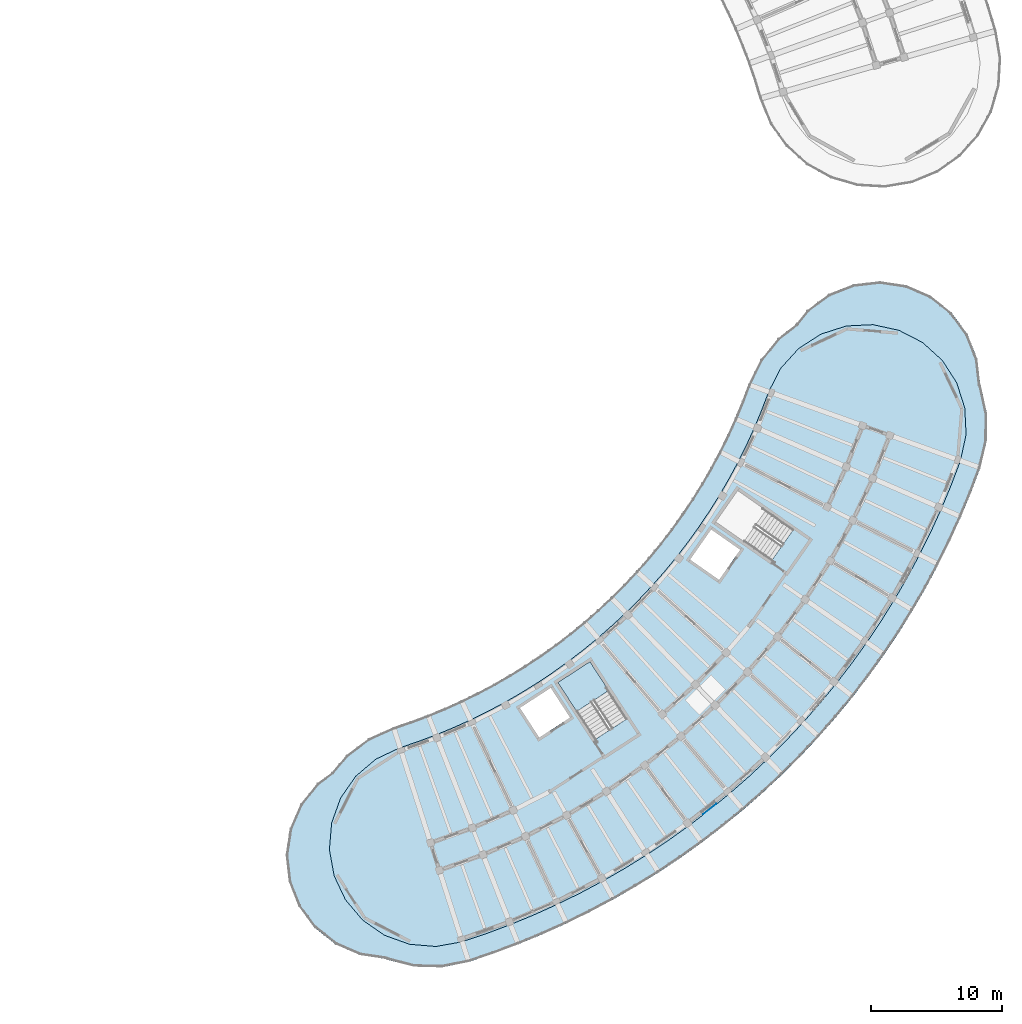
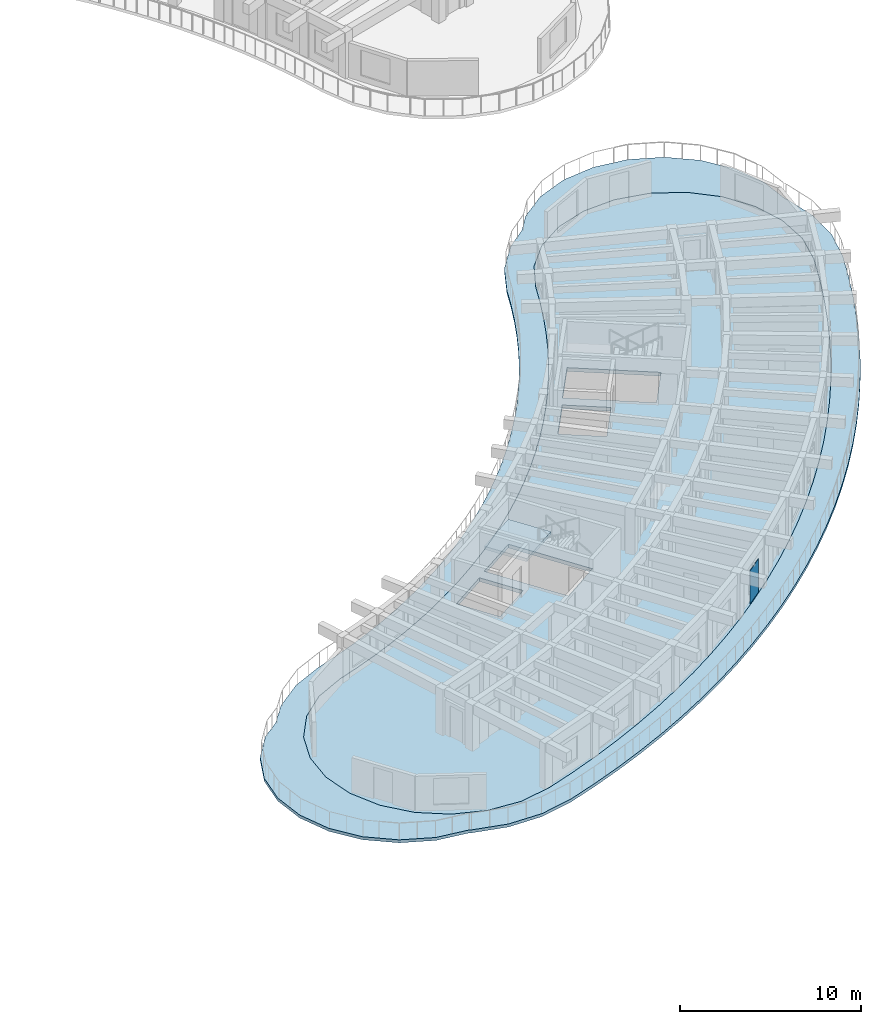
# One storey, part 36 of 81: 3 slabs, 1 plate, 1 element without a shape of its own.
"""IFC4 building model written with IfcOpenShell, lengths in metres."""

from ifc_helpers import new_model, si_unit, direction, frame, origin, origin_2d, place, context, subcontext, project, spatial, polyline, rectangle, outline, extrude, material, layer, layer_set, type_object, element, aggregate, save


model = new_model("IFC4")

# Units and contexts
model_context = context("Model", 3, precision=1e-05, world=origin(), true_north=direction((0.0, 1.0)))
body_context = subcontext(model_context, "Body", "Model", "MODEL_VIEW")
ifc_project = project(units=[si_unit("LENGTHUNIT", "METRE"), si_unit("AREAUNIT", "SQUARE_METRE"), si_unit("VOLUMEUNIT", "CUBIC_METRE"), si_unit("PLANEANGLEUNIT", "RADIAN"), si_unit("MASSUNIT", "GRAM", prefix="KILO")], contexts=[model_context])

# Site, building, storey
site_placement = place(None, origin())
site = spatial("IfcSite", under=ifc_project, at=site_placement, CompositionType="ELEMENT")
building_placement = place(site_placement, origin())
building = spatial("IfcBuilding", under=site, at=building_placement, Name="Tanwirah Colonnade Gardens", CompositionType="ELEMENT")
storey_placement = place(building_placement, frame((0.0, 0.0, 18.919921875)))
storey = spatial("IfcBuildingStorey", under=building, at=storey_placement, Name="L05", CompositionType="ELEMENT", Elevation=18.919921875)

# Plate
ifc_material_1 = material(Name="Laser-cut bronze aluminium solar screen plate", Category="aluminium")
ifc_layer_1 = layer(ifc_material_1, 0.02001953125)
ifc_layer_set_1 = layer_set([ifc_layer_1], Name="Laser-cut bronze aluminium solar screen plate")
plate_type = type_object("IfcPlateType", Name="PLT-SCR20", PredefinedType="SHEET", material=ifc_layer_set_1)
plate_placement = place(storey_placement, frame((158.117919921875, 17.69921875, 0.0), z_axis=(0.0, 0.0, 1.0), x_axis=(0.783964634348, 0.620805486519, 0.0)))
element("IfcPlate", 1, at=plate_placement, inside=storey, type_object=plate_type, Name="Perforated solar screen plate D-L05-06", PredefinedType="SHEET", context=body_context, shape_type="SweptSolid", body=[
    extrude(rectangle(XDim=1.25, YDim=0.02001953125, at=origin_2d()), origin(), (0.0, 0.0, 1.0), 2.25),
])

# Slab
ifc_material_2 = material(Name="White architectural precast concrete C40/50", Category="concrete")
ifc_layer_2 = layer(ifc_material_2, 0.199951171875)
ifc_layer_set_2 = layer_set([ifc_layer_2], Name="White architectural precast concrete C40/50")
slab_type_1 = type_object("IfcSlabType", Name="SL-BAL-200", PredefinedType="FLOOR", material=ifc_layer_set_2)
slab_1_placement = place(storey_placement, frame((0.0, 0.0, -0.199951171875)))
element("IfcSlab", 2, at=slab_1_placement, inside=storey, type_object=slab_type_1, Name="Block D L05 Continuous White Balcony Ribbon", PredefinedType="FLOOR", context=body_context, shape_type="SweptSolid", body=[
    extrude(outline(polyline([(129.277587890625, 20.481201171875), (128.16162109375, 19.655517578125), (126.89404296875, 18.06201171875), (126.08203125, 16.194580078125), (125.781005859375, 14.1806640625), (126.01171875, 12.15771484375), (126.7578125, 10.26318359375), (127.968994140625, 8.626220703125), (129.562744140625, 7.358642578125), (131.429931640625, 6.546875), (133.384765625, 6.254638671875), (133.51171875, 6.189208984375), (135.550537109375, 5.666015625), (137.65478515625, 5.609619140625), (139.71875, 6.02294921875), (141.6220703125, 6.666748046875), (143.503173828125, 7.372314453125), (145.3603515625, 8.13916015625), (147.19140625, 8.966552734375), (148.994384765625, 9.85302734375), (150.767333984375, 10.79833984375), (152.508544921875, 11.801025390625), (154.2158203125, 12.860107421875), (155.8876953125, 13.974609375), (157.522216796875, 15.143310546875), (159.117431640625, 16.364501953125), (160.672119140625, 17.637451171875), (162.18408203125, 18.960693359375), (163.652099609375, 20.33251953125), (165.07421875, 21.751708984375), (166.449462890625, 23.216796875), (167.77587890625, 24.725830078125), (169.05224609375, 26.277587890625), (170.277099609375, 27.870361328125), (171.44921875, 29.502197265625), (172.567138671875, 31.171630859375), (173.630126953125, 32.876708984375), (174.636474609375, 34.61572265625), (175.585693359375, 36.386474609375), (176.476318359375, 38.1875), (177.307373046875, 40.016845703125), (178.078369140625, 41.872314453125), (178.7880859375, 43.751953125), (179.273193359375, 45.80029296875), (179.290283203125, 47.905029296875), (178.838623046875, 49.9609375), (178.777587890625, 50.090087890625), (178.553955078125, 52.053955078125), (177.8076171875, 53.948486328125), (176.596435546875, 55.585205078125), (175.0029296875, 56.852783203125), (173.135498046875, 57.664794921875), (171.121826171875, 57.965576171875), (169.0986328125, 57.735107421875), (167.2041015625, 56.98876953125), (165.5673828125, 55.777587890625), (164.703125, 54.691162109375), (163.348388671875, 53.628662109375), (162.022705078125, 51.99365234375), (161.093994140625, 50.104736328125), (160.6015625, 48.800537109375), (160.066650390625, 47.51318359375), (159.489990234375, 46.244140625), (158.8720703125, 44.99462890625), (158.213623046875, 43.765869140625), (157.515380859375, 42.559326171875), (156.77783203125, 41.37646484375), (156.002197265625, 40.218017578125), (155.18896484375, 39.0859375), (154.339111328125, 37.98095703125), (153.45361328125, 36.904296875), (152.533203125, 35.857177734375), (151.579345703125, 34.8408203125), (150.592529296875, 33.856201171875), (149.573974609375, 32.904296875), (148.52490234375, 31.986328125), (147.4462890625, 31.10302734375), (146.33935546875, 30.255615234375), (145.205322265625, 29.445068359375), (144.04541015625, 28.671630859375), (142.86083984375, 27.93701171875), (141.65283203125, 27.2412109375), (140.4228515625, 26.58544921875), (139.171875, 25.97021484375), (137.9013671875, 25.396240234375), (136.613037109375, 24.8642578125), (135.307861328125, 24.37451171875), (133.9873046875, 23.927978515625), (132.06689453125, 23.06591796875), (130.38671875, 21.7978515625), (129.277587890625, 20.481201171875)]), holes=[polyline([(132.644287109375, 21.5185546875), (134.482421875, 22.385498046875), (135.8515625, 22.8486328125), (135.85205078125, 22.848876953125), (137.206298828125, 23.35693359375), (137.20703125, 23.357177734375), (138.5439453125, 23.9091796875), (138.54443359375, 23.909423828125), (139.862548828125, 24.5048828125), (139.86328125, 24.505126953125), (141.1611328125, 25.1435546875), (141.16162109375, 25.143798828125), (142.43798828125, 25.82421875), (142.4384765625, 25.824462890625), (143.69189453125, 26.54638671875), (143.692626953125, 26.546630859375), (144.921630859375, 27.30908203125), (144.922119140625, 27.309326171875), (146.125732421875, 28.111572265625), (146.126220703125, 28.112060546875), (147.302734375, 28.953369140625), (147.30322265625, 28.95361328125), (148.45166015625, 29.8330078125), (148.452392578125, 29.833251953125), (149.5712890625, 30.749755859375), (149.57177734375, 30.75), (150.660400390625, 31.70263671875), (150.660888671875, 31.702880859375), (151.717529296875, 32.690673828125), (151.718017578125, 32.69091796875), (152.741943359375, 33.712646484375), (152.742431640625, 33.713134765625), (153.732177734375, 34.767578125), (153.732666015625, 34.76806640625), (154.6875, 35.8544921875), (154.68798828125, 35.85498046875), (155.606689453125, 36.97216796875), (155.607177734375, 36.97265625), (156.48876953125, 38.119140625), (156.4892578125, 38.11962890625), (157.3330078125, 39.29443359375), (157.33349609375, 39.294921875), (158.13818359375, 40.496826171875), (158.138671875, 40.497314453125), (158.90380859375, 41.724853515625), (158.904052734375, 41.725341796875), (159.628662109375, 42.97705078125), (159.62890625, 42.977783203125), (160.312255859375, 44.25244140625), (160.3125, 44.253173828125), (160.95361328125, 45.549560546875), (160.953857421875, 45.55029296875), (161.55224609375, 46.866943359375), (161.552490234375, 46.86767578125), (162.107421875, 48.203369140625), (162.107666015625, 48.203857421875), (162.6181640625, 49.555908203125), (163.548828125, 51.36279296875), (164.914306640625, 52.8662109375), (166.62255859375, 53.96484375), (168.556884765625, 54.583984375), (170.58544921875, 54.681396484375), (172.570068359375, 54.25048828125), (174.375732421875, 53.320556640625), (175.87890625, 51.955078125), (176.9775390625, 50.2470703125), (177.596923828125, 48.312744140625), (177.6943359375, 46.2841796875), (177.26318359375, 44.29833984375), (176.572509765625, 42.46923828125), (175.82177734375, 40.662841796875), (175.012451171875, 38.8818359375), (174.1455078125, 37.12841796875), (173.221435546875, 35.404052734375), (172.241455078125, 33.7109375), (171.20654296875, 32.051025390625), (170.1181640625, 30.425537109375), (168.976806640625, 28.836669921875), (167.784423828125, 27.2861328125), (166.541748046875, 25.775146484375), (165.250244140625, 24.305908203125), (163.911376953125, 22.879638671875), (162.526611328125, 21.497802734375), (161.097412109375, 20.162109375), (159.625244140625, 18.8740234375), (158.11181640625, 17.634521484375), (156.55859375, 16.445556640625), (154.96728515625, 15.3076171875), (153.33935546875, 14.22265625), (151.677001953125, 13.19140625), (149.98193359375, 12.21533203125), (148.255615234375, 11.294921875), (146.500244140625, 10.431640625), (144.717529296875, 9.626220703125), (142.909423828125, 8.879638671875), (141.077880859375, 8.192626953125), (139.225830078125, 7.566162109375), (137.226318359375, 7.20458984375), (135.2021484375, 7.372802734375), (133.290771484375, 8.05908203125), (131.6220703125, 9.216552734375), (130.309814453125, 10.766845703125), (129.443359375, 12.603515625), (129.08203125, 14.60205078125), (129.250244140625, 16.626220703125), (129.9365234375, 18.53759765625), (131.09423828125, 20.206298828125), (132.644287109375, 21.5185546875)])]), origin(), (0.0, 0.0, 1.0), 0.199951171875),
])

# Stair, slab
ifc_material_3 = material(Name="Precast concrete C40/50", Category="concrete")
stair_type = type_object("IfcStairType", Name="ST-RES168", PredefinedType="HALF_TURN_STAIR", material=ifc_material_3)
stair_placement = place(storey_placement, origin())
stair = element("IfcStair", 3, at=stair_placement, inside=storey, type_object=stair_type, Name="L05 Block D Core 1 Exit Stair", PredefinedType="HALF_TURN_STAIR")
ifc_layer_3 = layer(ifc_material_3, 0.205078125)
ifc_layer_set_3 = layer_set([ifc_layer_3], Name="Precast concrete C40/50")
slab_type_2 = type_object("IfcSlabType", Name="SL-LND-205", PredefinedType="LANDING", material=ifc_layer_set_3)
slab_2_placement = place(storey_placement, frame((0.0, 0.0, 1.47509765625)))
slab_2 = element("IfcSlab", 4, at=slab_2_placement, type_object=slab_type_2, Name="ST-D1 landing 1", PredefinedType="LANDING", context=body_context, shape_type="SweptSolid", body=[
    extrude(outline(polyline([(150.40966796875, 26.740966796875), (148.974609375, 28.950927734375), (146.525634765625, 27.360595703125), (147.960693359375, 25.150634765625), (150.40966796875, 26.740966796875)])), origin(), (0.0, 0.0, 1.0), 0.205078125),
])
aggregate(stair, [slab_2])

# Slab
ifc_layer_4 = layer(ifc_material_3, 0.25)
ifc_layer_set_4 = layer_set([ifc_layer_4], Name="Precast concrete C40/50")
slab_type_3 = type_object("IfcSlabType", Name="SL-RES-250", PredefinedType="FLOOR", material=ifc_layer_set_4)
slab_3_placement = place(storey_placement, frame((0.0, 0.0, -0.25)))
element("IfcSlab", 5, at=slab_3_placement, inside=storey, type_object=slab_type_3, Name="Block D L05 Precast Composite Floor Slab", PredefinedType="FLOOR", context=body_context, shape_type="SweptSolid", body=[
    extrude(outline(polyline([(137.199462890625, 23.37548828125), (135.84521484375, 22.867431640625), (134.47509765625, 22.404052734375), (132.63330078125, 21.535400390625), (131.079345703125, 20.219970703125), (129.918701171875, 18.546875), (129.23046875, 16.63037109375), (129.06201171875, 14.60107421875), (129.42431640625, 12.597412109375), (130.292724609375, 10.755859375), (131.6083984375, 9.20166015625), (133.281494140625, 8.041015625), (135.197998046875, 7.35302734375), (137.227294921875, 7.184326171875), (139.23095703125, 7.546630859375), (141.08447265625, 8.173828125), (142.916748046875, 8.861083984375), (144.7255859375, 9.60791015625), (146.5087890625, 10.41357421875), (148.264892578125, 11.277099609375), (149.99169921875, 12.19775390625), (151.687255859375, 13.17431640625), (153.350341796875, 14.205810546875), (154.978515625, 15.291259765625), (156.5703125, 16.429443359375), (158.124267578125, 17.618896484375), (159.63818359375, 18.858642578125), (161.11083984375, 20.1474609375), (162.54052734375, 21.4833984375), (163.92578125, 22.86572265625), (165.26513671875, 24.29248046875), (166.556884765625, 25.76220703125), (167.800048828125, 27.273681640625), (168.992919921875, 28.82470703125), (170.134521484375, 30.414306640625), (171.223388671875, 32.0400390625), (172.258544921875, 33.70068359375), (173.23876953125, 35.394287109375), (174.163330078125, 37.119140625), (175.030517578125, 38.873291015625), (175.840087890625, 40.65478515625), (176.591064453125, 42.4619140625), (177.2822265625, 44.29248046875), (177.71435546875, 46.282470703125), (177.61669921875, 48.31640625), (176.995849609375, 50.255615234375), (175.894287109375, 51.968017578125), (174.38720703125, 53.337158203125), (172.576904296875, 54.26953125), (170.587158203125, 54.70166015625), (168.55322265625, 54.603759765625), (166.614013671875, 53.983154296875), (164.9013671875, 52.881591796875), (163.5322265625, 51.374267578125), (162.60009765625, 49.56396484375), (162.089111328125, 48.2109375), (161.533935546875, 46.875244140625), (160.935791015625, 45.55859375), (160.294677734375, 44.261962890625), (159.611328125, 42.987060546875), (158.88671875, 41.7353515625), (158.12158203125, 40.5078125), (157.31689453125, 39.30615234375), (156.47314453125, 38.13134765625), (155.59130859375, 36.98486328125), (154.672607421875, 35.86767578125), (153.717529296875, 34.781494140625), (152.727783203125, 33.726806640625), (151.703857421875, 32.705078125), (150.647216796875, 31.717529296875), (149.55859375, 30.76513671875), (148.439697265625, 29.848876953125), (147.291259765625, 28.969482421875), (146.114501953125, 28.12841796875), (144.9111328125, 27.326171875), (143.681884765625, 26.563720703125), (142.428466796875, 25.841796875), (141.15234375, 25.161376953125), (139.854248046875, 24.523193359375), (138.5361328125, 23.927490234375), (137.199462890625, 23.37548828125)]), holes=[polyline([(149.358642578125, 23.003662109375), (146.528076171875, 27.3623046875), (148.971923828125, 28.94921875), (151.802490234375, 24.5908203125), (149.358642578125, 23.003662109375)]), polyline([(143.63427734375, 25.42333984375), (145.982666015625, 26.9482421875), (147.453125, 24.683837890625), (145.104736328125, 23.158935546875), (143.63427734375, 25.42333984375)]), polyline([(160.252685546875, 42.016357421875), (164.509765625, 39.03564453125), (162.83837890625, 36.648681640625), (158.581298828125, 39.62939453125), (160.252685546875, 42.016357421875)]), polyline([(160.442138671875, 37.49267578125), (158.836181640625, 35.198974609375), (156.62451171875, 36.74755859375), (158.23046875, 39.041259765625), (160.442138671875, 37.49267578125)])]), origin(), (0.0, 0.0, 1.0), 0.25),
])

save(model, "model.ifc")
